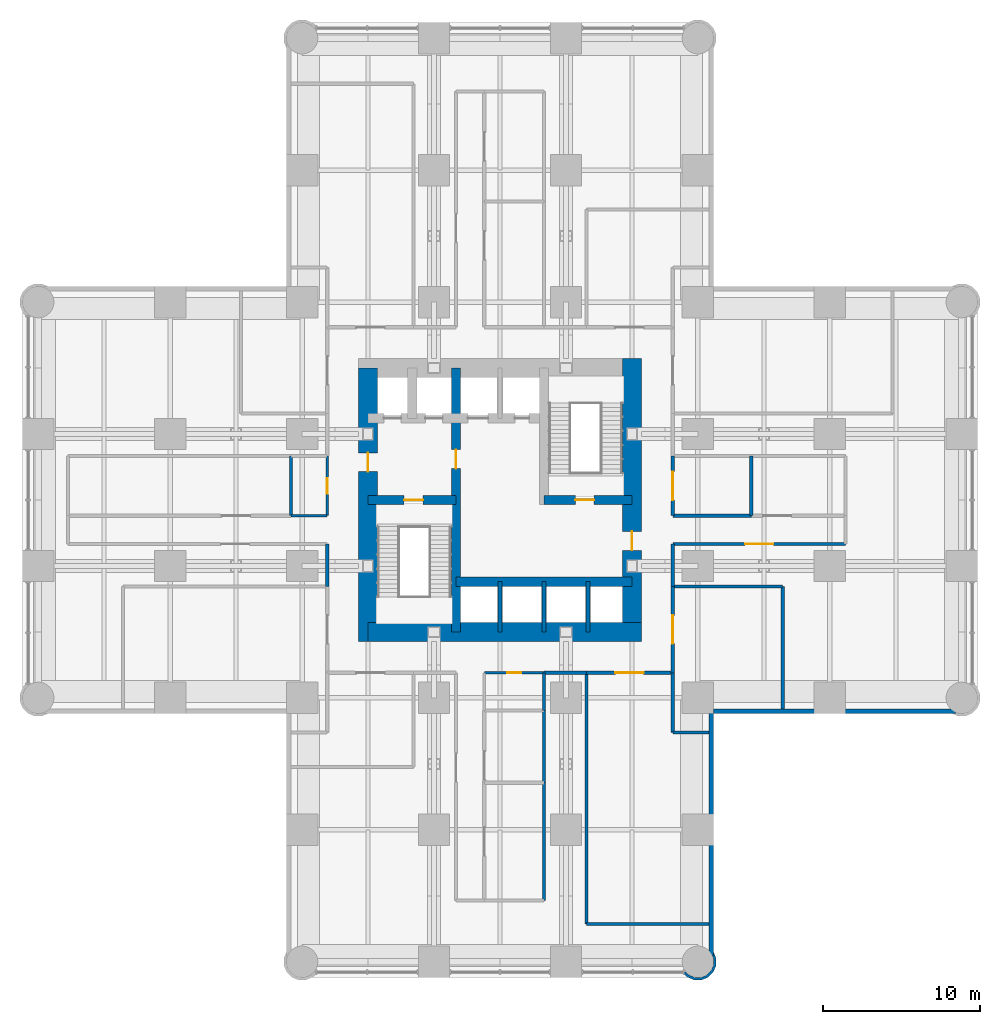
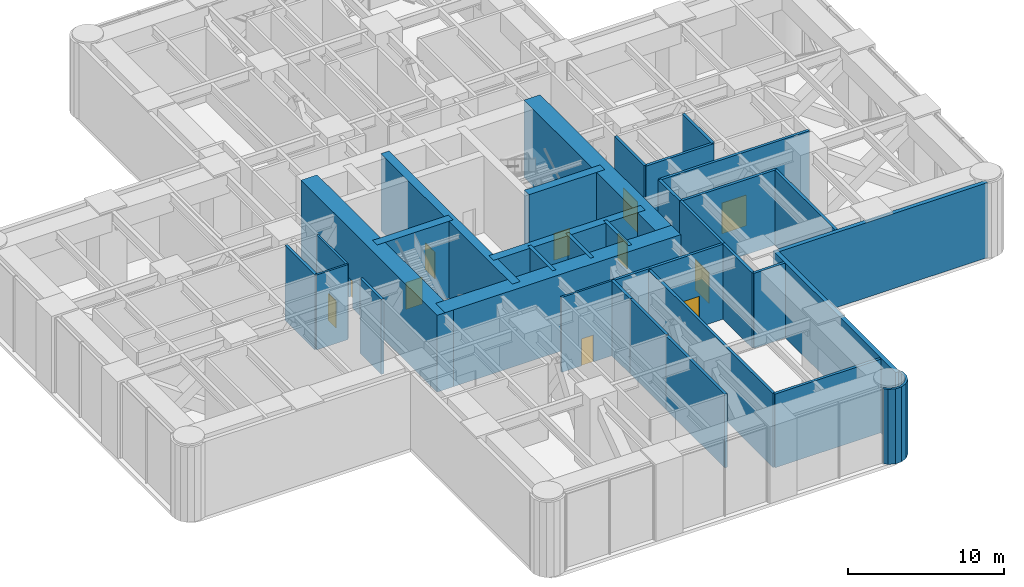
# One storey, part 8 of 12: 35 walls, 11 doors, 11 openings.
"""IFC4 building model written with IfcOpenShell, lengths in metres."""

from ifc_helpers import new_model, si_unit, direction, frame, frame_2d, origin, place, context, subcontext, project, spatial, polyline, rectangle, outline, extrude, material, layer, layer_set, type_object, element, fill, save


model = new_model("IFC4")

# Units and contexts
model_context = context("Model", 3, precision=1e-05, world=origin(), true_north=direction((0.0, 1.0)))
body_context = subcontext(model_context, "Body", "Model", "MODEL_VIEW")
ifc_project = project(units=[si_unit("LENGTHUNIT", "METRE"), si_unit("AREAUNIT", "SQUARE_METRE"), si_unit("VOLUMEUNIT", "CUBIC_METRE"), si_unit("PLANEANGLEUNIT", "RADIAN"), si_unit("MASSUNIT", "GRAM", prefix="KILO")], contexts=[model_context])

# Site, building, storey
site_placement = place(None, origin())
site = spatial("IfcSite", under=ifc_project, at=site_placement, CompositionType="ELEMENT")
building_placement = place(site_placement, origin())
building = spatial("IfcBuilding", under=site, at=building_placement, Name="Torre Alcanfor", CompositionType="ELEMENT")
storey_placement = place(building_placement, frame((0.0, 0.0, 102.89990234375)))
storey = spatial("IfcBuildingStorey", under=building, at=storey_placement, Name="L26", CompositionType="ELEMENT", Elevation=102.89990234375)

# Wall, opening, door
ifc_material_1 = material(Name="Concrete f'c 70 MPa", Category="concrete")
ifc_layer_1 = layer(ifc_material_1, 0.60009765625)
ifc_layer_set_1 = layer_set([ifc_layer_1], Name="Core inner wall 600 f'c70")
wall_type_1 = type_object("IfcWallType", Name="Core inner wall 600 f'c70", PredefinedType="SHEAR", material=ifc_layer_set_1)
wall_1_placement = place(storey_placement, frame((26.60009765625, 21.0, 0.0), z_axis=(0.0, 0.0, 1.0), x_axis=(0.0, 1.0, 0.0)))
wall_1 = element("IfcWall", 1, at=wall_1_placement, inside=storey, type_object=wall_type_1, Name="Core wall X266 L26", PredefinedType="SHEAR", context=body_context, shape_type="SweptSolid", body=[
    extrude(rectangle(XDim=16.800048828125, YDim=0.60009765625, at=frame_2d((8.39990234375, 0.0))), origin(), (0.0, 0.0, 1.0), 6.0),
])
opening_1_placement = place(wall_1_placement, frame((10.39990234375, 0.0, 0.0)))
opening_1 = element("IfcOpeningElement", 2, at=opening_1_placement, cuts=wall_1, Name="Opening D-L1", PredefinedType="OPENING", context=body_context, shape_type="SweptSolid", body=[
    extrude(rectangle(XDim=1.199951171875, YDim=2.10009765625, at=frame_2d((0.60009765625, 1.050048828125))), frame((0.0, 0.31005859375, 0.0), z_axis=(0.0, -1.0, 0.0), x_axis=(1.0, 0.0, 0.0)), (0.0, 0.0, 1.0), 0.6201171875),
])
ifc_material_2 = material(Name="Galvanised steel sheet ASTM A653", Category="steel")
door_type_1 = type_object("IfcDoorType", Name="Lobby door FD120 1200x2100", OperationType="SINGLE_SWING_LEFT", PredefinedType="DOOR", material=ifc_material_2)
door_1_placement = place(opening_1_placement, origin())
door_1 = element("IfcDoor", 3, at=door_1_placement, inside=storey, type_object=door_type_1, Name="Lift lobby door L26", OperationType="SINGLE_SWING_LEFT", OverallHeight=2.10009765625, OverallWidth=1.199951171875, PredefinedType="DOOR", context=body_context, shape_type="SweptSolid", body=[
    extrude(rectangle(XDim=1.199951171875, YDim=2.10009765625, at=frame_2d((0.60009765625, 1.050048828125))), frame((0.0, 0.02490234375, 0.0), z_axis=(0.0, -1.0, 0.0), x_axis=(1.0, 0.0, 0.0)), (0.0, 0.0, 1.0), 0.050048828125),
])
fill(opening_1, door_1)

wall_2_placement = place(storey_placement, frame((21.0, 29.39990234375, 0.0), z_axis=(0.0, 0.0, 1.0), x_axis=(1.0, 0.0, 0.0)))
wall_2 = element("IfcWall", 4, at=wall_2_placement, inside=storey, type_object=wall_type_1, Name="Core wall Y294W L26", PredefinedType="SHEAR", context=body_context, shape_type="SweptSolid", body=[
    extrude(rectangle(XDim=5.60009765625, YDim=0.60009765625, at=frame_2d((2.800048828125, 0.0))), origin(), (0.0, 0.0, 1.0), 6.0),
])
opening_2_placement = place(wall_2_placement, frame((2.300048828125, 0.0, 0.0)))
opening_2 = element("IfcOpeningElement", 5, at=opening_2_placement, cuts=wall_2, Name="Opening D-S2", PredefinedType="OPENING", context=body_context, shape_type="SweptSolid", body=[
    extrude(rectangle(XDim=1.199951171875, YDim=2.10009765625, at=frame_2d((0.60009765625, 1.050048828125))), frame((0.0, 0.31005859375, 0.0), z_axis=(0.0, -1.0, 0.0), x_axis=(1.0, 0.0, 0.0)), (0.0, 0.0, 1.0), 0.6201171875),
])
ifc_material_3 = material(Name="Galvanised steel sheet ASTM A653", Category="steel")
door_type_2 = type_object("IfcDoorType", Name="Stair enclosure door FD120 1200x2100", OperationType="SINGLE_SWING_LEFT", PredefinedType="DOOR", material=ifc_material_3)
door_2_placement = place(opening_2_placement, frame((1.199951171875, 0.0, 0.0), z_axis=(0.0, 0.0, 1.0), x_axis=(-1.0, 0.0, 0.0)))
door_2 = element("IfcDoor", 6, at=door_2_placement, inside=storey, type_object=door_type_2, Name="Stair S1 door L26", OperationType="SINGLE_SWING_LEFT", OverallHeight=2.10009765625, OverallWidth=1.199951171875, PredefinedType="DOOR", context=body_context, shape_type="SweptSolid", body=[
    extrude(rectangle(XDim=1.199951171875, YDim=2.10009765625, at=frame_2d((0.599853515625, 1.050048828125))), frame((0.0, 0.025146484375, 0.0), z_axis=(0.0, -1.0, 0.0), x_axis=(1.0, 0.0, 0.0)), (0.0, 0.0, 1.0), 0.050048828125),
])
fill(opening_2, door_2)

# Wall
wall_3_placement = place(storey_placement, frame((26.60009765625, 24.199951171875, 0.0), z_axis=(0.0, 0.0, 1.0), x_axis=(1.0, 0.0, 0.0)))
element("IfcWall", 7, at=wall_3_placement, inside=storey, type_object=wall_type_1, Name="Core wall Y242 L26", PredefinedType="SHEAR", context=body_context, shape_type="SweptSolid", body=[
    extrude(rectangle(XDim=11.199951171875, YDim=0.60009765625, at=frame_2d((5.60009765625, 0.0))), origin(), (0.0, 0.0, 1.0), 6.0),
])

# Wall, opening, door
wall_4_placement = place(storey_placement, frame((32.199951171875, 29.39990234375, 0.0), z_axis=(0.0, 0.0, 1.0), x_axis=(1.0, 0.0, 0.0)))
wall_4 = element("IfcWall", 8, at=wall_4_placement, inside=storey, type_object=wall_type_1, Name="Core wall Y294E L26", PredefinedType="SHEAR", context=body_context, shape_type="SweptSolid", body=[
    extrude(rectangle(XDim=5.60009765625, YDim=0.60009765625, at=frame_2d((2.800048828125, 0.0))), origin(), (0.0, 0.0, 1.0), 6.0),
])
opening_3_placement = place(wall_4_placement, frame((2.0, 0.0, 0.0)))
opening_3 = element("IfcOpeningElement", 9, at=opening_3_placement, cuts=wall_4, Name="Opening D-S2", PredefinedType="OPENING", context=body_context, shape_type="SweptSolid", body=[
    extrude(rectangle(XDim=1.199951171875, YDim=2.10009765625, at=frame_2d((0.60009765625, 1.050048828125))), frame((0.0, 0.31005859375, 0.0), z_axis=(0.0, -1.0, 0.0), x_axis=(1.0, 0.0, 0.0)), (0.0, 0.0, 1.0), 0.6201171875),
])
door_3_placement = place(opening_3_placement, origin())
door_3 = element("IfcDoor", 10, at=door_3_placement, inside=storey, type_object=door_type_2, Name="Stair S2 door L26", OperationType="SINGLE_SWING_LEFT", OverallHeight=2.10009765625, OverallWidth=1.199951171875, PredefinedType="DOOR", context=body_context, shape_type="SweptSolid", body=[
    extrude(rectangle(XDim=1.199951171875, YDim=2.10009765625, at=frame_2d((0.60009765625, 1.050048828125))), frame((0.0, 0.02490234375, 0.0), z_axis=(0.0, -1.0, 0.0), x_axis=(1.0, 0.0, 0.0)), (0.0, 0.0, 1.0), 0.050048828125),
])
fill(opening_3, door_3)

# Walls
ifc_material_4 = material(Name="Concrete f'c 70 MPa", Category="concrete")
ifc_layer_2 = layer(ifc_material_4, 0.25)
ifc_layer_set_2 = layer_set([ifc_layer_2], Name="Core shaft wall 250 f'c70")
wall_type_2 = type_object("IfcWallType", Name="Core shaft wall 250 f'c70", PredefinedType="SHEAR", material=ifc_layer_set_2)
for number, where, z_axis, x_axis, name in (
    (11, (29.39990234375, 21.0, 0.0), (0.0, 0.0, 1.0), (0.0, 1.0, 0.0), "Core wall X294S L26"),
    (12, (32.199951171875, 21.0, 0.0), (0.0, 0.0, 1.0), (0.0, 1.0, 0.0), "Core wall X322S L26"),
    (13, (35.0, 21.0, 0.0), (0.0, 0.0, 1.0), (0.0, 1.0, 0.0), "Core wall X350S L26"),
):
    element("IfcWall", number, at=place(storey_placement, frame(where, z_axis=z_axis, x_axis=x_axis)), inside=storey, type_object=wall_type_2, Name=name, PredefinedType="SHEAR", context=body_context, shape_type="SweptSolid", body=[
        extrude(rectangle(XDim=3.199951171875, YDim=0.25, at=frame_2d((1.60009765625, 0.0))), origin(), (0.0, 0.0, 1.0), 6.0),
    ])
ifc_material_5 = material(Name="Concrete f'c 70 MPa", Category="concrete")
ifc_layer_3 = layer(ifc_material_5, 1.199951171875)
ifc_layer_set_3 = layer_set([ifc_layer_3], Name="Core wall 1200 f'c70")
wall_type_3 = type_object("IfcWallType", Name="Core wall 1200 f'c70", PredefinedType="SHEAR", material=ifc_layer_set_3)
wall_5_placement = place(storey_placement, frame((21.0, 21.0, 0.0), z_axis=(0.0, 0.0, 1.0), x_axis=(1.0, 0.0, 0.0)))
element("IfcWall", 14, at=wall_5_placement, inside=storey, type_object=wall_type_3, Name="Core wall OUT-S L26", PredefinedType="SHEAR", context=body_context, shape_type="SweptSolid", body=[
    extrude(rectangle(XDim=17.39990234375, YDim=1.199951171875, at=frame_2d((8.699951171875, 0.0))), origin(), (0.0, 0.0, 1.0), 6.0),
])

# Wall, opening, door
wall_6_placement = place(storey_placement, frame((37.800048828125, 21.0, 0.0), z_axis=(0.0, 0.0, 1.0), x_axis=(0.0, 1.0, 0.0)))
wall_6 = element("IfcWall", 15, at=wall_6_placement, inside=storey, type_object=wall_type_3, Name="Core wall OUT-E L26", PredefinedType="SHEAR", context=body_context, shape_type="SweptSolid", body=[
    extrude(rectangle(XDim=17.39990234375, YDim=1.199951171875, at=frame_2d((8.699951171875, 0.0))), origin(), (0.0, 0.0, 1.0), 6.0),
])
opening_4_placement = place(wall_6_placement, frame((5.199951171875, 0.0, 0.0)))
opening_4 = element("IfcOpeningElement", 16, at=opening_4_placement, cuts=wall_6, Name="Opening D-L1", PredefinedType="OPENING", context=body_context, shape_type="SweptSolid", body=[
    extrude(rectangle(XDim=1.199951171875, YDim=2.10009765625, at=frame_2d((0.60009765625, 1.050048828125))), frame((0.0, 0.60986328125, 0.0), z_axis=(0.0, -1.0, 0.0), x_axis=(1.0, 0.0, 0.0)), (0.0, 0.0, 1.0), 1.219970703125),
])
door_4_placement = place(opening_4_placement, origin())
door_4 = element("IfcDoor", 17, at=door_4_placement, inside=storey, type_object=door_type_1, Name="Lift lobby entrance door L26", OperationType="SINGLE_SWING_LEFT", OverallHeight=2.10009765625, OverallWidth=1.199951171875, PredefinedType="DOOR", context=body_context, shape_type="SweptSolid", body=[
    extrude(rectangle(XDim=1.199951171875, YDim=2.10009765625, at=frame_2d((0.60009765625, 1.050048828125))), frame((0.0, 0.02490234375, 0.0), z_axis=(0.0, -1.0, 0.0), x_axis=(1.0, 0.0, 0.0)), (0.0, 0.0, 1.0), 0.050048828125),
])
fill(opening_4, door_4)

wall_7_placement = place(storey_placement, frame((21.0, 37.800048828125, 0.0), z_axis=(0.0, 0.0, 1.0), x_axis=(0.0, -1.0, 0.0)))
wall_7 = element("IfcWall", 18, at=wall_7_placement, inside=storey, type_object=wall_type_3, Name="Core wall OUT-W L26", PredefinedType="SHEAR", context=body_context, shape_type="SweptSolid", body=[
    extrude(rectangle(XDim=17.400146484375, YDim=1.199951171875, at=frame_2d((8.7001953125, 0.0))), origin(), (0.0, 0.0, 1.0), 6.0),
])
opening_5_placement = place(wall_7_placement, frame((5.39990234375, 0.0, 0.0)))
opening_5 = element("IfcOpeningElement", 19, at=opening_5_placement, cuts=wall_7, Name="Opening D-L1", PredefinedType="OPENING", context=body_context, shape_type="SweptSolid", body=[
    extrude(rectangle(XDim=1.199951171875, YDim=2.10009765625, at=frame_2d((0.60009765625, 1.050048828125))), frame((0.0, 0.60986328125, 0.0), z_axis=(0.0, -1.0, 0.0), x_axis=(1.0, 0.0, 0.0)), (0.0, 0.0, 1.0), 1.219970703125),
])
door_5_placement = place(opening_5_placement, origin())
door_5 = element("IfcDoor", 20, at=door_5_placement, inside=storey, type_object=door_type_1, Name="Firefighting lobby door L26", OperationType="SINGLE_SWING_LEFT", OverallHeight=2.10009765625, OverallWidth=1.199951171875, PredefinedType="DOOR", context=body_context, shape_type="SweptSolid", body=[
    extrude(rectangle(XDim=1.199951171875, YDim=2.10009765625, at=frame_2d((0.60009765625, 1.050048828125))), frame((0.0, 0.02490234375, 0.0), z_axis=(0.0, -1.0, 0.0), x_axis=(1.0, 0.0, 0.0)), (0.0, 0.0, 1.0), 0.050048828125),
])
fill(opening_5, door_5)

# Walls
ifc_material_6 = material(Name="Limestone cladding", Category="masonry")
ifc_layer_4 = layer(ifc_material_6, 0.0400390625, Name="Facing")
ifc_material_7 = material(Name="Ventilated air cavity")
ifc_layer_5 = layer(ifc_material_7, 0.02001953125, ventilated=True, Name="Ventilated joint")
ifc_material_8 = material(Name="Mineral wool insulation", Category="insulation")
ifc_layer_6 = layer(ifc_material_8, 0.10009765625, Name="Insulation")
ifc_material_9 = material(Name="Concrete f'c 35 MPa", Category="concrete")
ifc_layer_7 = layer(ifc_material_9, 0.139892578125, Name="Backing")
ifc_layer_set_4 = layer_set([ifc_layer_4, ifc_layer_5, ifc_layer_6, ifc_layer_7], Name="External wall stone-clad 300")
wall_type_4 = type_object("IfcWallType", Name="External wall stone-clad 300", PredefinedType="SOLIDWALL", material=ifc_layer_set_4)
wall_8_placement = place(storey_placement, frame((42.85009765625, 0.39990234375, 0.0), z_axis=(0.0, 0.0, 1.0), x_axis=(0.0, 1.0, 0.0)))
element("IfcWall", 21, at=wall_8_placement, inside=storey, type_object=wall_type_4, Name="External wall L26 6", PredefinedType="SOLIDWALL", context=body_context, shape_type="SweptSolid", body=[
    extrude(rectangle(XDim=15.7001953125, YDim=0.300048828125, at=frame_2d((7.85009765625, 0.0))), origin(), (0.0, 0.0, 1.0), 5.85009765625),
])
wall_9_placement = place(storey_placement, frame((43.0, 15.949951171875, 0.0), z_axis=(0.0, 0.0, 1.0), x_axis=(1.0, 0.0, 0.0)))
element("IfcWall", 22, at=wall_9_placement, inside=storey, type_object=wall_type_4, Name="External wall L26 7", PredefinedType="SOLIDWALL", context=body_context, shape_type="SweptSolid", body=[
    extrude(rectangle(XDim=15.39990234375, YDim=0.300048828125, at=frame_2d((7.699951171875, 0.0))), origin(), (0.0, 0.0, 1.0), 5.85009765625),
])

# Wall, opening, door
ifc_material_10 = material(Name="Concrete block masonry, hollow blocks NMX-C-404 9 MPa", Category="masonry")
ifc_layer_8 = layer(ifc_material_10, 0.199951171875)
ifc_layer_set_5 = layer_set([ifc_layer_8], Name="Plant room wall 200 EI 60")
wall_type_5 = type_object("IfcWallType", Name="Plant room wall 200 EI 60", PredefinedType="PARTITIONING", material=ifc_layer_set_5)
wall_10_placement = place(storey_placement, frame((40.39990234375, 23.89990234375, 0.0), z_axis=(0.0, 0.0, 1.0), x_axis=(0.0, -1.0, 0.0)))
wall_10 = element("IfcWall", 23, at=wall_10_placement, inside=storey, type_object=wall_type_5, Name="Partition L26-CORR / L26-E1", PredefinedType="PARTITIONING", context=body_context, shape_type="SweptSolid", body=[
    extrude(rectangle(XDim=5.5, YDim=0.199951171875, at=frame_2d((2.75, 0.0))), origin(), (0.0, 0.0, 1.0), 5.85009765625),
])
opening_6_placement = place(wall_10_placement, frame((1.85009765625, 0.0, 0.0)))
opening_6 = element("IfcOpeningElement", 24, at=opening_6_placement, cuts=wall_10, Name="Opening D-P1", PredefinedType="OPENING", context=body_context, shape_type="SweptSolid", body=[
    extrude(rectangle(XDim=1.800048828125, YDim=2.39990234375, at=frame_2d((0.89990234375, 1.199951171875))), frame((0.0, 0.10986328125, 0.0), z_axis=(0.0, -1.0, 0.0), x_axis=(1.0, 0.0, 0.0)), (0.0, 0.0, 1.0), 0.219970703125),
])
ifc_material_11 = material(Name="Galvanised steel sheet ASTM A653", Category="steel")
door_type_3 = type_object("IfcDoorType", Name="Plant room door FD60 1800x2400", OperationType="DOUBLE_DOOR_SINGLE_SWING", PredefinedType="DOOR", material=ifc_material_11)
door_6_placement = place(opening_6_placement, origin())
door_6 = element("IfcDoor", 25, at=door_6_placement, inside=storey, type_object=door_type_3, Name="Door L26-E1 stair pressurisation fan plant room", OperationType="DOUBLE_DOOR_SINGLE_SWING", OverallHeight=2.39990234375, OverallWidth=1.800048828125, PredefinedType="DOOR", context=body_context, shape_type="SweptSolid", body=[
    extrude(rectangle(XDim=1.800048828125, YDim=2.39990234375, at=frame_2d((0.89990234375, 1.199951171875))), frame((0.0, 0.02490234375, 0.0), z_axis=(0.0, -1.0, 0.0), x_axis=(1.0, 0.0, 0.0)), (0.0, 0.0, 1.0), 0.050048828125),
])
fill(opening_6, door_6)

wall_11_placement = place(storey_placement, frame((40.39990234375, 32.199951171875, 0.0), z_axis=(0.0, 0.0, 1.0), x_axis=(0.0, -1.0, 0.0)))
wall_11 = element("IfcWall", 26, at=wall_11_placement, inside=storey, type_object=wall_type_5, Name="Partition L26-CORR / L26-E3", PredefinedType="PARTITIONING", context=body_context, shape_type="SweptSolid", body=[
    extrude(rectangle(XDim=3.800048828125, YDim=0.199951171875, at=frame_2d((1.89990234375, 0.0))), origin(), (0.0, 0.0, 1.0), 5.85009765625),
])
opening_7_placement = place(wall_11_placement, frame((1.0, 0.0, 0.0)))
opening_7 = element("IfcOpeningElement", 27, at=opening_7_placement, cuts=wall_11, Name="Opening D-P1", PredefinedType="OPENING", context=body_context, shape_type="SweptSolid", body=[
    extrude(rectangle(XDim=1.800048828125, YDim=2.39990234375, at=frame_2d((0.89990234375, 1.199951171875))), frame((0.0, 0.10986328125, 0.0), z_axis=(0.0, -1.0, 0.0), x_axis=(1.0, 0.0, 0.0)), (0.0, 0.0, 1.0), 0.219970703125),
])
door_7_placement = place(opening_7_placement, origin())
door_7 = element("IfcDoor", 28, at=door_7_placement, inside=storey, type_object=door_type_3, Name="Door L26-E3 bms and communications room", OperationType="DOUBLE_DOOR_SINGLE_SWING", OverallHeight=2.39990234375, OverallWidth=1.800048828125, PredefinedType="DOOR", context=body_context, shape_type="SweptSolid", body=[
    extrude(rectangle(XDim=1.800048828125, YDim=2.39990234375, at=frame_2d((0.89990234375, 1.199951171875))), frame((0.0, 0.02490234375, 0.0), z_axis=(0.0, -1.0, 0.0), x_axis=(1.0, 0.0, 0.0)), (0.0, 0.0, 1.0), 0.050048828125),
])
fill(opening_7, door_7)

# Wall
wall_12_placement = place(storey_placement, frame((40.39990234375, 26.60009765625, 0.0), z_axis=(0.0, 0.0, 1.0), x_axis=(0.0, -1.0, 0.0)))
element("IfcWall", 29, at=wall_12_placement, inside=storey, type_object=wall_type_5, Name="Partition L26-CORR / L26-EH", PredefinedType="PARTITIONING", context=body_context, shape_type="SweptSolid", body=[
    extrude(rectangle(XDim=2.7001953125, YDim=0.199951171875, at=frame_2d((1.35009765625, 0.0))), origin(), (0.0, 0.0, 1.0), 5.85009765625),
])

# Wall, opening, door
wall_13_placement = place(storey_placement, frame((40.39990234375, 18.39990234375, 0.0), z_axis=(0.0, 0.0, 1.0), x_axis=(-1.0, 0.0, 0.0)))
wall_13 = element("IfcWall", 30, at=wall_13_placement, inside=storey, type_object=wall_type_5, Name="Partition L26-CORR / L26-S2", PredefinedType="PARTITIONING", context=body_context, shape_type="SweptSolid", body=[
    extrude(rectangle(XDim=5.5, YDim=0.199951171875, at=frame_2d((2.75, 0.0))), origin(), (0.0, 0.0, 1.0), 5.85009765625),
])
opening_8_placement = place(wall_13_placement, frame((1.85009765625, 0.0, 0.0)))
opening_8 = element("IfcOpeningElement", 31, at=opening_8_placement, cuts=wall_13, Name="Opening D-P1", PredefinedType="OPENING", context=body_context, shape_type="SweptSolid", body=[
    extrude(rectangle(XDim=1.800048828125, YDim=2.39990234375, at=frame_2d((0.89990234375, 1.199951171875))), frame((0.0, 0.10986328125, 0.0), z_axis=(0.0, -1.0, 0.0), x_axis=(1.0, 0.0, 0.0)), (0.0, 0.0, 1.0), 0.219970703125),
])
door_8_placement = place(opening_8_placement, origin())
door_8 = element("IfcDoor", 32, at=door_8_placement, inside=storey, type_object=door_type_3, Name="Door L26-S2 chilled water pump room", OperationType="DOUBLE_DOOR_SINGLE_SWING", OverallHeight=2.39990234375, OverallWidth=1.800048828125, PredefinedType="DOOR", context=body_context, shape_type="SweptSolid", body=[
    extrude(rectangle(XDim=1.800048828125, YDim=2.39990234375, at=frame_2d((0.89990234375, 1.199951171875))), frame((0.0, 0.02490234375, 0.0), z_axis=(0.0, -1.0, 0.0), x_axis=(1.0, 0.0, 0.0)), (0.0, 0.0, 1.0), 0.050048828125),
])
fill(opening_8, door_8)

# Walls
wall_14_placement = place(storey_placement, frame((34.89990234375, 18.39990234375, 0.0), z_axis=(0.0, 0.0, 1.0), x_axis=(-1.0, 0.0, 0.0)))
element("IfcWall", 33, at=wall_14_placement, inside=storey, type_object=wall_type_5, Name="Partition L26-CORR / L26-SH", PredefinedType="PARTITIONING", context=body_context, shape_type="SweptSolid", body=[
    extrude(rectangle(XDim=2.699951171875, YDim=0.199951171875, at=frame_2d((1.35009765625, 0.0))), origin(), (0.0, 0.0, 1.0), 5.85009765625),
])
wall_15_placement = place(storey_placement, frame((18.39990234375, 23.89990234375, 0.0), z_axis=(0.0, 0.0, 1.0), x_axis=(0.0, 1.0, 0.0)))
element("IfcWall", 34, at=wall_15_placement, inside=storey, type_object=wall_type_5, Name="Partition L26-CORR / L26-WH", PredefinedType="PARTITIONING", context=body_context, shape_type="SweptSolid", body=[
    extrude(rectangle(XDim=2.7001953125, YDim=0.199951171875, at=frame_2d((1.35009765625, 0.0))), origin(), (0.0, 0.0, 1.0), 5.85009765625),
])
wall_16_placement = place(storey_placement, frame((40.39990234375, 23.89990234375, 0.0), z_axis=(0.0, 0.0, 1.0), x_axis=(1.0, 0.0, 0.0)))
element("IfcWall", 35, at=wall_16_placement, inside=storey, type_object=wall_type_5, Name="Partition L26-E1 / L26-EH", PredefinedType="PARTITIONING", context=body_context, shape_type="SweptSolid", body=[
    extrude(rectangle(XDim=7.0, YDim=0.199951171875, at=frame_2d((3.5, 0.0))), origin(), (0.0, 0.0, 1.0), 5.85009765625),
])
wall_17_placement = place(storey_placement, frame((47.39990234375, 23.89990234375, 0.0), z_axis=(0.0, 0.0, 1.0), x_axis=(0.0, -1.0, 0.0)))
element("IfcWall", 36, at=wall_17_placement, inside=storey, type_object=wall_type_5, Name="Partition L26-E1 / L26-EH", PredefinedType="PARTITIONING", context=body_context, shape_type="SweptSolid", body=[
    extrude(rectangle(XDim=7.7998046875, YDim=0.199951171875, at=frame_2d((3.89990234375, 0.0))), origin(), (0.0, 0.0, 1.0), 5.85009765625),
])
wall_18_placement = place(storey_placement, frame((42.699951171875, 14.60009765625, 0.0), z_axis=(0.0, 0.0, 1.0), x_axis=(-1.0, 0.0, 0.0)))
element("IfcWall", 37, at=wall_18_placement, inside=storey, type_object=wall_type_5, Name="Partition L26-E1 / L26-S2", PredefinedType="PARTITIONING", context=body_context, shape_type="SweptSolid", body=[
    extrude(rectangle(XDim=2.300048828125, YDim=0.199951171875, at=frame_2d((1.14990234375, 0.0))), origin(), (0.0, 0.0, 1.0), 5.85009765625),
])
wall_19_placement = place(storey_placement, frame((40.39990234375, 14.60009765625, 0.0), z_axis=(0.0, 0.0, 1.0), x_axis=(0.0, 1.0, 0.0)))
element("IfcWall", 38, at=wall_19_placement, inside=storey, type_object=wall_type_5, Name="Partition L26-E1 / L26-S2", PredefinedType="PARTITIONING", context=body_context, shape_type="SweptSolid", body=[
    extrude(rectangle(XDim=3.7998046875, YDim=0.199951171875, at=frame_2d((1.89990234375, 0.0))), origin(), (0.0, 0.0, 1.0), 5.85009765625),
])
wall_20_placement = place(storey_placement, frame((40.39990234375, 28.39990234375, 0.0), z_axis=(0.0, 0.0, 1.0), x_axis=(1.0, 0.0, 0.0)))
element("IfcWall", 39, at=wall_20_placement, inside=storey, type_object=wall_type_5, Name="Partition L26-EC / L26-E3", PredefinedType="PARTITIONING", context=body_context, shape_type="SweptSolid", body=[
    extrude(rectangle(XDim=5.0, YDim=0.199951171875, at=frame_2d((2.5, 0.0))), origin(), (0.0, 0.0, 1.0), 5.85009765625),
])

# Wall, opening, door
wall_21_placement = place(storey_placement, frame((51.39990234375, 26.60009765625, 0.0), z_axis=(0.0, 0.0, 1.0), x_axis=(-1.0, 0.0, 0.0)))
wall_21 = element("IfcWall", 40, at=wall_21_placement, inside=storey, type_object=wall_type_5, Name="Partition L26-EC / L26-EH", PredefinedType="PARTITIONING", context=body_context, shape_type="SweptSolid", body=[
    extrude(rectangle(XDim=11.0, YDim=0.199951171875, at=frame_2d((5.5, 0.0))), origin(), (0.0, 0.0, 1.0), 5.85009765625),
])
opening_9_placement = place(wall_21_placement, frame((4.60009765625, 0.0, 0.0)))
opening_9 = element("IfcOpeningElement", 41, at=opening_9_placement, cuts=wall_21, Name="Opening D-P1", PredefinedType="OPENING", context=body_context, shape_type="SweptSolid", body=[
    extrude(rectangle(XDim=1.800048828125, YDim=2.39990234375, at=frame_2d((0.89990234375, 1.199951171875))), frame((0.0, 0.10986328125, 0.0), z_axis=(0.0, -1.0, 0.0), x_axis=(1.0, 0.0, 0.0)), (0.0, 0.0, 1.0), 0.219970703125),
])
door_9_placement = place(opening_9_placement, origin())
door_9 = element("IfcDoor", 42, at=door_9_placement, inside=storey, type_object=door_type_3, Name="Door L26-EH air handling plant room", OperationType="DOUBLE_DOOR_SINGLE_SWING", OverallHeight=2.39990234375, OverallWidth=1.800048828125, PredefinedType="DOOR", context=body_context, shape_type="SweptSolid", body=[
    extrude(rectangle(XDim=1.800048828125, YDim=2.39990234375, at=frame_2d((0.89990234375, 1.199951171875))), frame((0.0, 0.02490234375, 0.0), z_axis=(0.0, -1.0, 0.0), x_axis=(1.0, 0.0, 0.0)), (0.0, 0.0, 1.0), 0.050048828125),
])
fill(opening_9, door_9)

# Walls
wall_22_placement = place(storey_placement, frame((45.39990234375, 32.199951171875, 0.0), z_axis=(0.0, 0.0, 1.0), x_axis=(0.0, -1.0, 0.0)))
element("IfcWall", 43, at=wall_22_placement, inside=storey, type_object=wall_type_5, Name="Partition L26-E3 / L26-E4", PredefinedType="PARTITIONING", context=body_context, shape_type="SweptSolid", body=[
    extrude(rectangle(XDim=3.800048828125, YDim=0.199951171875, at=frame_2d((1.89990234375, 0.0))), origin(), (0.0, 0.0, 1.0), 5.85009765625),
])
wall_23_placement = place(storey_placement, frame((42.699951171875, 2.39990234375, 0.0), z_axis=(0.0, 0.0, 1.0), x_axis=(-1.0, 0.0, 0.0)))
element("IfcWall", 44, at=wall_23_placement, inside=storey, type_object=wall_type_5, Name="Partition L26-S2 / L26-SH", PredefinedType="PARTITIONING", context=body_context, shape_type="SweptSolid", body=[
    extrude(rectangle(XDim=7.800048828125, YDim=0.199951171875, at=frame_2d((3.89990234375, 0.0))), origin(), (0.0, 0.0, 1.0), 5.75),
])
wall_24_placement = place(storey_placement, frame((34.89990234375, 2.39990234375, 0.0), z_axis=(0.0, 0.0, 1.0), x_axis=(0.0, 1.0, 0.0)))
element("IfcWall", 45, at=wall_24_placement, inside=storey, type_object=wall_type_5, Name="Partition L26-S2 / L26-SH", PredefinedType="PARTITIONING", context=body_context, shape_type="SweptSolid", body=[
    extrude(rectangle(XDim=16.0, YDim=0.199951171875, at=frame_2d((8.0, 0.0))), origin(), (0.0, 0.0, 1.0), 5.75),
])
wall_25_placement = place(storey_placement, frame((32.199951171875, 18.39990234375, 0.0), z_axis=(0.0, 0.0, 1.0), x_axis=(0.0, -1.0, 0.0)))
element("IfcWall", 46, at=wall_25_placement, inside=storey, type_object=wall_type_5, Name="Partition L26-S3 / L26-SH", PredefinedType="PARTITIONING", context=body_context, shape_type="SweptSolid", body=[
    extrude(rectangle(XDim=2.39990234375, YDim=0.199951171875, at=frame_2d((1.199951171875, 0.0))), origin(), (0.0, 0.0, 1.0), 5.85009765625),
])
wall_26_placement = place(storey_placement, frame((32.199951171875, 16.0, 0.0), z_axis=(0.0, 0.0, 1.0), x_axis=(0.0, -1.0, 0.0)))
element("IfcWall", 47, at=wall_26_placement, inside=storey, type_object=wall_type_5, Name="Partition L26-S4 / L26-SH", PredefinedType="PARTITIONING", context=body_context, shape_type="SweptSolid", body=[
    extrude(rectangle(XDim=4.60009765625, YDim=0.199951171875, at=frame_2d((2.300048828125, 0.0))), origin(), (0.0, 0.0, 1.0), 5.85009765625),
])
wall_27_placement = place(storey_placement, frame((32.199951171875, 11.39990234375, 0.0), z_axis=(0.0, 0.0, 1.0), x_axis=(0.0, -1.0, 0.0)))
element("IfcWall", 48, at=wall_27_placement, inside=storey, type_object=wall_type_5, Name="Partition L26-S5 / L26-SH", PredefinedType="PARTITIONING", context=body_context, shape_type="SweptSolid", body=[
    extrude(rectangle(XDim=7.5, YDim=0.199951171875, at=frame_2d((3.75, 0.0))), origin(), (0.0, 0.0, 1.0), 5.75),
])
wall_28_placement = place(storey_placement, frame((16.10009765625, 28.39990234375, 0.0), z_axis=(0.0, 0.0, 1.0), x_axis=(0.0, 1.0, 0.0)))
element("IfcWall", 49, at=wall_28_placement, inside=storey, type_object=wall_type_5, Name="Partition L26-WW / L26-REF", PredefinedType="PARTITIONING", context=body_context, shape_type="SweptSolid", body=[
    extrude(rectangle(XDim=3.800048828125, YDim=0.199951171875, at=frame_2d((1.89990234375, 0.0))), origin(), (0.0, 0.0, 1.0), 5.85009765625),
])
ifc_layer_9 = layer(ifc_material_6, 0.0400390625, Name="Facing")
ifc_layer_10 = layer(ifc_material_7, 0.02001953125, ventilated=True, Name="Ventilated joint")
ifc_layer_11 = layer(ifc_material_8, 0.10009765625, Name="Insulation")
ifc_layer_12 = layer(ifc_material_9, 0.139892578125, Name="Backing")
ifc_layer_set_6 = layer_set([ifc_layer_9, ifc_layer_10, ifc_layer_11, ifc_layer_12], Name="Rounded corner pier stone-clad 300")
wall_type_6 = type_object("IfcWallType", Name="Rounded corner pier stone-clad 300", PredefinedType="SOLIDWALL", material=ifc_layer_set_6)
wall_29_placement = place(storey_placement, frame((41.190015148, -0.714370029, 0.0), z_axis=(0.0, 0.0, 1.0), x_axis=(0.558589409818, -0.82944431473, 0.0)))
element("IfcWall", 50, at=wall_29_placement, inside=storey, type_object=wall_type_6, Name="Corner pier L26 16", PredefinedType="SOLIDWALL", context=body_context, shape_type="SweptSolid", body=[
    extrude(outline(polyline([(0.08681148562035645, 2.12370239231107), (0.028744661233709556, 2.0580216125789974), (0.2538128489864938, 2.0124126663316124), (0.5842945681369052, 1.7898496983570666), (0.8041635491567599, 1.4581092433818692), (0.8804737445347923, 1.0670470075104228), (0.8014546042040269, 0.6769828156865036), (0.5788916362294813, 0.34650109653609235), (0.24715118125428368, 0.12663211551623754), (-0.028693411466129953, 0.07280499329984373), (-0.08787988701818439, -0.015080463876184787), (0.01073812598809646, -0.08149478091270669), (0.3086096210756193, -0.023369424121293753), (0.6931275285690655, 0.23159874731928332), (0.9508750833925284, 0.6143257382471494), (1.0425764676681468, 1.0664912452828204), (0.9541650887942912, 1.5195676832032048), (0.6991969173537143, 1.904085590696651), (0.31646992642584815, 2.161833145520114), (-0.09321195085312128, 2.2449392051354398), (0.08681148562035645, 2.12370239231107)])), origin(), (0.0, 0.0, 1.0), 5.85009765625),
])

# Wall, opening, door
ifc_material_12 = material(Name="Cement board on steel studs", Category="steel")
ifc_layer_13 = layer(ifc_material_12, 0.14990234375)
ifc_layer_set_7 = layer_set([ifc_layer_13], Name="Wet area partition 150")
wall_type_7 = type_object("IfcWallType", Name="Wet area partition 150", PredefinedType="PARTITIONING", material=ifc_layer_set_7)
wall_30_placement = place(storey_placement, frame((32.199951171875, 18.39990234375, 0.0), z_axis=(0.0, 0.0, 1.0), x_axis=(-1.0, 0.0, 0.0)))
wall_30 = element("IfcWall", 51, at=wall_30_placement, inside=storey, type_object=wall_type_7, Name="Partition L26-CORR / L26-S3", PredefinedType="PARTITIONING", context=body_context, shape_type="SweptSolid", body=[
    extrude(rectangle(XDim=3.800048828125, YDim=0.14990234375, at=frame_2d((1.89990234375, 0.0))), origin(), (0.0, 0.0, 1.0), 5.85009765625),
])
opening_10_placement = place(wall_30_placement, frame((1.449951171875, 0.0, 0.0)))
opening_10 = element("IfcOpeningElement", 52, at=opening_10_placement, cuts=wall_30, Name="Opening D-W1", PredefinedType="OPENING", context=body_context, shape_type="SweptSolid", body=[
    extrude(rectangle(XDim=0.89990234375, YDim=2.10009765625, at=frame_2d((0.449951171875, 1.050048828125))), frame((0.0, 0.0849609375, 0.0), z_axis=(0.0, -1.0, 0.0), x_axis=(1.0, 0.0, 0.0)), (0.0, 0.0, 1.0), 0.169921875),
])
ifc_material_13 = material(Name="Timber", Category="wood")
door_type_4 = type_object("IfcDoorType", Name="Toilet door 900x2100", OperationType="SINGLE_SWING_LEFT", PredefinedType="DOOR", material=ifc_material_13)
door_10_placement = place(opening_10_placement, origin())
door_10 = element("IfcDoor", 53, at=door_10_placement, inside=storey, type_object=door_type_4, Name="Door L26-S3 maintenance wc", OperationType="SINGLE_SWING_LEFT", OverallHeight=2.10009765625, OverallWidth=0.89990234375, PredefinedType="DOOR", context=body_context, shape_type="SweptSolid", body=[
    extrude(rectangle(XDim=0.89990234375, YDim=2.10009765625, at=frame_2d((0.449951171875, 1.050048828125))), frame((0.0, 0.02490234375, 0.0), z_axis=(0.0, -1.0, 0.0), x_axis=(1.0, 0.0, 0.0)), (0.0, 0.0, 1.0), 0.050048828125),
])
fill(opening_10, door_10)

wall_31_placement = place(storey_placement, frame((18.39990234375, 28.39990234375, 0.0), z_axis=(0.0, 0.0, 1.0), x_axis=(0.0, 1.0, 0.0)))
wall_31 = element("IfcWall", 54, at=wall_31_placement, inside=storey, type_object=wall_type_7, Name="Partition L26-CORR / L26-WW", PredefinedType="PARTITIONING", context=body_context, shape_type="SweptSolid", body=[
    extrude(rectangle(XDim=3.800048828125, YDim=0.14990234375, at=frame_2d((1.89990234375, 0.0))), origin(), (0.0, 0.0, 1.0), 5.85009765625),
])
opening_11_placement = place(wall_31_placement, frame((1.39990234375, 0.0, 0.0)))
opening_11 = element("IfcOpeningElement", 55, at=opening_11_placement, cuts=wall_31, Name="Opening D-W2", PredefinedType="OPENING", context=body_context, shape_type="SweptSolid", body=[
    extrude(rectangle(XDim=1.0, YDim=2.10009765625, at=frame_2d((0.5, 1.050048828125))), frame((0.0, 0.0849609375, 0.0), z_axis=(0.0, -1.0, 0.0), x_axis=(1.0, 0.0, 0.0)), (0.0, 0.0, 1.0), 0.169921875),
])
ifc_material_14 = material(Name="Timber", Category="wood")
door_type_5 = type_object("IfcDoorType", Name="Accessible WC door 1000x2100", OperationType="SINGLE_SWING_LEFT", PredefinedType="DOOR", material=ifc_material_14)
door_11_placement = place(opening_11_placement, frame((1.0, 0.0, 0.0), z_axis=(0.0, 0.0, 1.0), x_axis=(-1.0, 0.0, 0.0)))
door_11 = element("IfcDoor", 56, at=door_11_placement, inside=storey, type_object=door_type_5, Name="Door L26-WW accessible wc", OperationType="SINGLE_SWING_LEFT", OverallHeight=2.10009765625, OverallWidth=1.0, PredefinedType="DOOR", context=body_context, shape_type="SweptSolid", body=[
    extrude(rectangle(XDim=1.0, YDim=2.10009765625, at=frame_2d((0.5, 1.050048828125))), frame((0.0, 0.025146484375, 0.0), z_axis=(0.0, -1.0, 0.0), x_axis=(1.0, 0.0, 0.0)), (0.0, 0.0, 1.0), 0.050048828125),
])
fill(opening_11, door_11)

# Wall
wall_32_placement = place(storey_placement, frame((16.10009765625, 28.39990234375, 0.0), z_axis=(0.0, 0.0, 1.0), x_axis=(1.0, 0.0, 0.0)))
element("IfcWall", 57, at=wall_32_placement, inside=storey, type_object=wall_type_7, Name="Partition L26-WC / L26-WW", PredefinedType="PARTITIONING", context=body_context, shape_type="SweptSolid", body=[
    extrude(rectangle(XDim=2.2998046875, YDim=0.14990234375, at=frame_2d((1.14990234375, 0.0))), origin(), (0.0, 0.0, 1.0), 5.85009765625),
])

save(model, "model.ifc")
